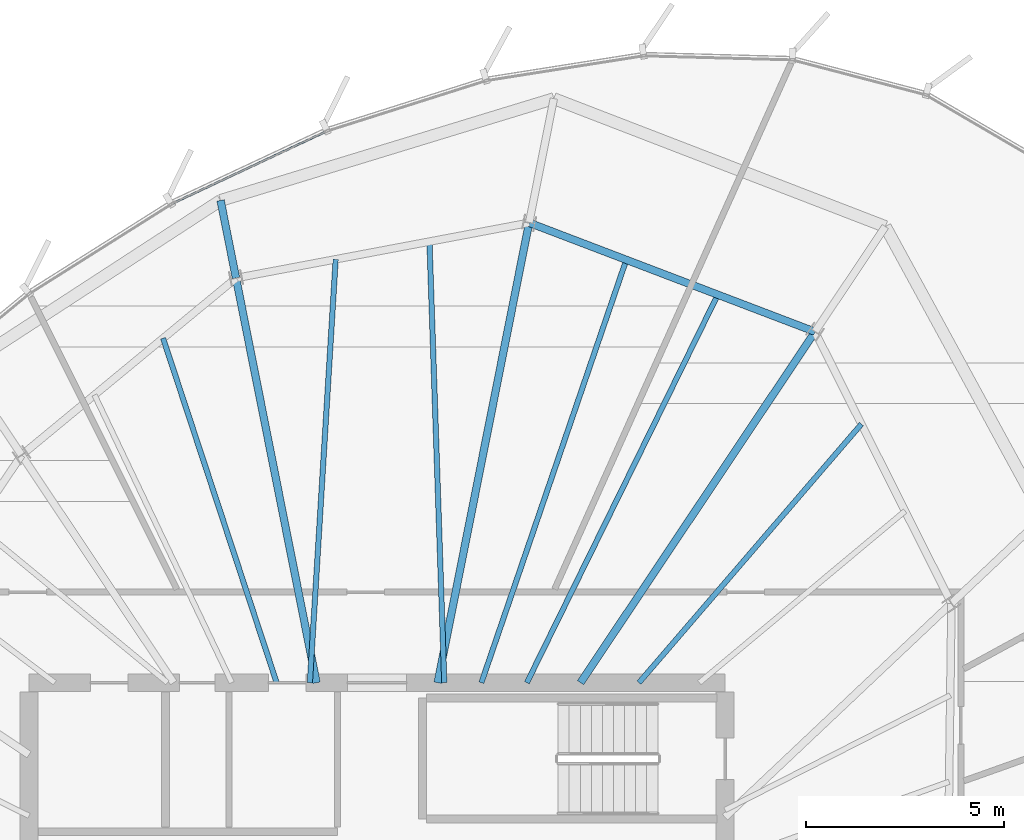
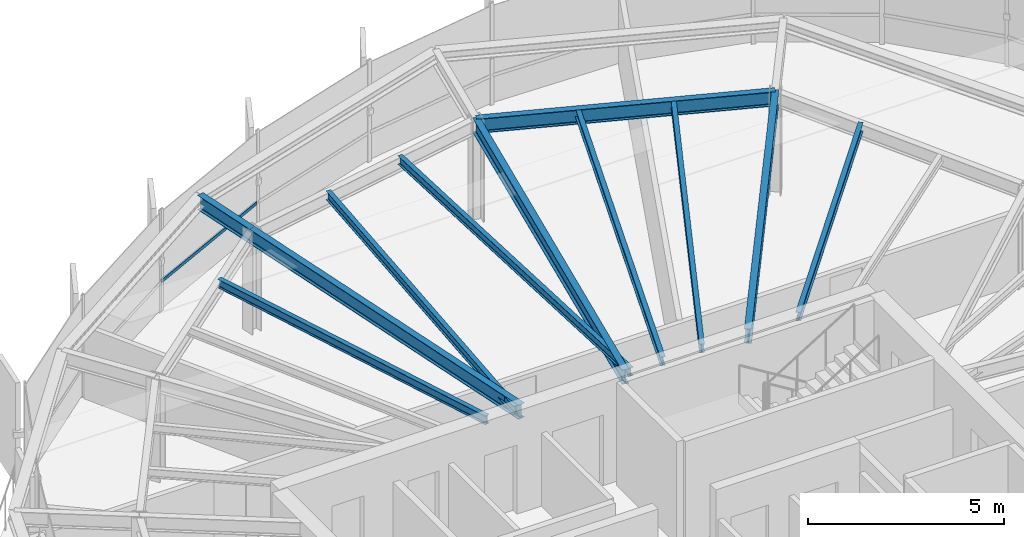
# One storey, part 22 of 36: 11 beams, 1 member, 1 element without a shape of its own.
"""IFC4 building model written with IfcOpenShell, lengths in metres."""

from ifc_helpers import new_model, si_unit, direction, frame, origin, origin_2d, place, context, subcontext, project, spatial, hollow_rectangle, i_section, extrude, source, transform, mapped, material, layer, layer_set, material_profile, profile_set, type_object, element, aggregate, save


model = new_model("IFC4")

# Units and contexts
model_context = context("Model", 3, precision=1e-05, world=origin(), true_north=direction((0.0, 1.0)))
body_context = subcontext(model_context, "Body", "Model", "MODEL_VIEW")
ifc_project = project(units=[si_unit("LENGTHUNIT", "METRE"), si_unit("AREAUNIT", "SQUARE_METRE"), si_unit("VOLUMEUNIT", "CUBIC_METRE"), si_unit("PLANEANGLEUNIT", "RADIAN"), si_unit("MASSUNIT", "GRAM", prefix="KILO"), si_unit("THERMODYNAMICTEMPERATUREUNIT", "KELVIN")], contexts=[model_context])

# Site, building, storey
site_placement = place(None, origin())
site = spatial("IfcSite", under=ifc_project, at=site_placement, CompositionType="ELEMENT")
building_placement = place(site_placement, origin())
building = spatial("IfcBuilding", under=site, at=building_placement, Name="Kethvar Cultural Tower", CompositionType="ELEMENT")
storey_placement = place(building_placement, frame((0.0, 0.0, 242.199951171875)))
storey = spatial("IfcBuildingStorey", under=building, at=storey_placement, Name="L63", CompositionType="ELEMENT", Elevation=242.199951171875)

# Beams
ifc_material_1 = material(Name="Steel S355J2", Category="steel")
ifc_material_profile_1 = material_profile(ifc_material_1, i_section(OverallWidth=0.18994140625, OverallDepth=0.449951171875, WebThickness=0.009521484375, FlangeThickness=0.0146484375, FilletRadius=0.02099609375, at=origin_2d()), Name="Steel S355J2 — IPE450")
ifc_profile_set_1 = profile_set([ifc_material_profile_1], Name="Steel S355J2 — IPE450")
beam_type_1 = type_object("IfcBeamType", Name="BM-IPE450", PredefinedType="BEAM", material=ifc_profile_set_1)
shared_shape_1 = source(origin(), body_context, "Body", "SweptSolid", [
    extrude(i_section(OverallWidth=0.18994140625, OverallDepth=0.449951171875, WebThickness=0.009521484375, FlangeThickness=0.0146484375, FilletRadius=0.02099609375, at=origin_2d()), origin(), (0.0, 0.0, 1.0), 10.673828125),
])
beam_1_placement = place(storey_placement, frame((51.945068359375, 35.5, 2.983154296875), z_axis=(0.555576086183, 0.831465701314, 0.0), x_axis=(-0.831465701314, 0.555576086183, 0.0)))
element("IfcBeam", 1, at=beam_1_placement, inside=storey, type_object=beam_type_1, Name="L63 Primary Radial Beam RB-03", PredefinedType="BEAM", context=body_context, shape_type="MappedRepresentation", body=[
    mapped(shared_shape_1, transform((0.0, 0.0, 0.0), scale=1.0)),
])
shared_shape_2 = source(origin(), body_context, "Body", "SweptSolid", [
    extrude(i_section(OverallWidth=0.18994140625, OverallDepth=0.449951171875, WebThickness=0.009521484375, FlangeThickness=0.0146484375, FilletRadius=0.02099609375, at=origin_2d()), origin(), (0.0, 0.0, 1.0), 11.859375),
])
beam_2_placement = place(storey_placement, frame((48.33154296875, 35.5, 2.983154296875), z_axis=(0.195094640585, 0.980784421377, 0.0), x_axis=(-0.980784421377, 0.195094640585, 0.0)))
element("IfcBeam", 2, at=beam_2_placement, inside=storey, type_object=beam_type_1, Name="L63 Primary Radial Beam RB-04", PredefinedType="BEAM", context=body_context, shape_type="MappedRepresentation", body=[
    mapped(shared_shape_2, transform((0.0, 0.0, 0.0), scale=1.0)),
])
shared_shape_3 = source(origin(), body_context, "Body", "SweptSolid", [
    extrude(i_section(OverallWidth=0.18994140625, OverallDepth=0.449951171875, WebThickness=0.009521484375, FlangeThickness=0.0146484375, FilletRadius=0.02099609375, at=origin_2d()), origin(), (0.0, 0.0, 1.0), 10.432861328125),
])
beam_3_placement = place(storey_placement, frame((45.268310546875, 35.5, 2.983154296875), z_axis=(-0.195094483249, 0.980784452673, 0.0), x_axis=(-0.980784452673, -0.195094483249, 0.0)))
element("IfcBeam", 3, at=beam_3_placement, inside=storey, type_object=beam_type_1, Name="L63 Primary Radial Beam RB-05", PredefinedType="BEAM", context=body_context, shape_type="MappedRepresentation", body=[
    mapped(shared_shape_3, transform((0.0, 0.0, 0.0), scale=1.0)),
])
ifc_material_profile_2 = material_profile(ifc_material_1, i_section(OverallWidth=0.135009765625, OverallDepth=0.27001953125, WebThickness=0.006591796875, FlangeThickness=0.01025390625, FilletRadius=0.014892578125, at=origin_2d()), Name="Steel S355J2 — IPE270")
ifc_profile_set_2 = profile_set([ifc_material_profile_2], Name="Steel S355J2 — IPE270")
beam_type_2 = type_object("IfcBeamType", Name="BM-J270", PredefinedType="JOIST", material=ifc_profile_set_2)
shared_shape_4 = source(origin(), body_context, "Body", "SweptSolid", [
    extrude(i_section(OverallWidth=0.135009765625, OverallDepth=0.27001953125, WebThickness=0.006591796875, FlangeThickness=0.01025390625, FilletRadius=0.014892578125, at=origin_2d()), origin(), (0.0, 0.0, 1.0), 8.6259765625),
])
beam_4_placement = place(storey_placement, frame((53.42333984375, 35.5, 3.072998046875), z_axis=(0.65210499689, 0.758128665222, 0.0), x_axis=(-0.758128665222, 0.65210499689, 0.0)))
element("IfcBeam", 4, at=beam_4_placement, inside=storey, type_object=beam_type_2, Name="L63 Composite Floor Joist J-02B", PredefinedType="JOIST", context=body_context, shape_type="MappedRepresentation", body=[
    mapped(shared_shape_4, transform((0.0, 0.0, 0.0), scale=1.0)),
])
shared_shape_5 = source(origin(), body_context, "Body", "SweptSolid", [
    extrude(i_section(OverallWidth=0.18994140625, OverallDepth=0.449951171875, WebThickness=0.009521484375, FlangeThickness=0.0146484375, FilletRadius=0.02099609375, at=origin_2d()), origin(), (0.0, 0.0, 1.0), 7.737548828125),
])
beam_5_placement = place(storey_placement, frame((57.875244140625, 44.375, 2.983154296875), z_axis=(-0.934388230776, 0.356256416347, 0.0), x_axis=(-0.356256416347, -0.934388230776, 0.0)))
element("IfcBeam", 5, at=beam_5_placement, inside=storey, type_object=beam_type_1, Name="L63 Column Ring Tie Beam CR-03", PredefinedType="BEAM", context=body_context, shape_type="MappedRepresentation", body=[
    mapped(shared_shape_5, transform((0.0, 0.0, 0.0), scale=1.0)),
])
shared_shape_6 = source(origin(), body_context, "Body", "SweptSolid", [
    extrude(i_section(OverallWidth=0.135009765625, OverallDepth=0.27001953125, WebThickness=0.006591796875, FlangeThickness=0.01025390625, FilletRadius=0.014892578125, at=origin_2d()), origin(), (0.0, 0.0, 1.0), 10.935791015625),
])
beam_6_placement = place(storey_placement, frame((50.5888671875, 35.5, 3.072998046875), z_axis=(0.441498236677, 0.897262117227, 0.0), x_axis=(-0.897262117227, 0.441498236677, 0.0)))
element("IfcBeam", 6, at=beam_6_placement, inside=storey, type_object=beam_type_2, Name="L63 Composite Floor Joist J-03A", PredefinedType="JOIST", context=body_context, shape_type="MappedRepresentation", body=[
    mapped(shared_shape_6, transform((0.0, 0.0, 0.0), scale=1.0)),
])
shared_shape_7 = source(origin(), body_context, "Body", "SweptSolid", [
    extrude(i_section(OverallWidth=0.135009765625, OverallDepth=0.27001953125, WebThickness=0.006591796875, FlangeThickness=0.01025390625, FilletRadius=0.014892578125, at=origin_2d()), origin(), (0.0, 0.0, 1.0), 11.304931640625),
])
beam_7_placement = place(storey_placement, frame((49.438720703125, 35.5, 3.072998046875), z_axis=(0.324179110764, 0.945995720997, 0.0), x_axis=(-0.945995720997, 0.324179110764, 0.0)))
element("IfcBeam", 7, at=beam_7_placement, inside=storey, type_object=beam_type_2, Name="L63 Composite Floor Joist J-03B", PredefinedType="JOIST", context=body_context, shape_type="MappedRepresentation", body=[
    mapped(shared_shape_7, transform((0.0, 0.0, 0.0), scale=1.0)),
])
shared_shape_8 = source(origin(), body_context, "Body", "SweptSolid", [
    extrude(i_section(OverallWidth=0.135009765625, OverallDepth=0.27001953125, WebThickness=0.006591796875, FlangeThickness=0.01025390625, FilletRadius=0.014892578125, at=origin_2d()), origin(), (0.0, 0.0, 1.0), 11.162109375),
])
beam_8_placement = place(storey_placement, frame((48.5, 35.5, 3.072998046875), z_axis=(-0.0335959409, 0.999435497046, 0.0), x_axis=(-0.999435497046, -0.0335959409, 0.0)))
element("IfcBeam", 8, at=beam_8_placement, inside=storey, type_object=beam_type_2, Name="L63 Composite Floor Joist J-04A", PredefinedType="JOIST", context=body_context, shape_type="MappedRepresentation", body=[
    mapped(shared_shape_8, transform((0.0, 0.0, 0.0), scale=1.0)),
])
shared_shape_9 = source(origin(), body_context, "Body", "SweptSolid", [
    extrude(i_section(OverallWidth=0.135009765625, OverallDepth=0.27001953125, WebThickness=0.006591796875, FlangeThickness=0.01025390625, FilletRadius=0.014892578125, at=origin_2d()), origin(), (0.0, 0.0, 1.0), 10.727783203125),
])
beam_9_placement = place(storey_placement, frame((45.10009765625, 35.5, 3.072998046875), z_axis=(0.060876395586, 0.998145312297, 0.0), x_axis=(-0.998145312297, 0.060876395586, 0.0)))
element("IfcBeam", 9, at=beam_9_placement, inside=storey, type_object=beam_type_2, Name="L63 Composite Floor Joist J-04B", PredefinedType="JOIST", context=body_context, shape_type="MappedRepresentation", body=[
    mapped(shared_shape_9, transform((0.0, 0.0, 0.0), scale=1.0)),
])
shared_shape_10 = source(origin(), body_context, "Body", "SweptSolid", [
    extrude(i_section(OverallWidth=0.135009765625, OverallDepth=0.27001953125, WebThickness=0.006591796875, FlangeThickness=0.01025390625, FilletRadius=0.014892578125, at=origin_2d()), origin(), (0.0, 0.0, 1.0), 9.17138671875),
])
beam_10_placement = place(storey_placement, frame((44.260986328125, 35.5, 3.072998046875), z_axis=(-0.313151555446, 0.949703165901, 0.0), x_axis=(-0.949703165901, -0.313151555446, 0.0)))
element("IfcBeam", 10, at=beam_10_placement, inside=storey, type_object=beam_type_2, Name="L63 Composite Floor Joist J-05A", PredefinedType="JOIST", context=body_context, shape_type="MappedRepresentation", body=[
    mapped(shared_shape_10, transform((0.0, 0.0, 0.0), scale=1.0)),
])
shared_shape_11 = source(origin(), body_context, "Body", "SweptSolid", [
    extrude(i_section(OverallWidth=0.18994140625, OverallDepth=0.449951171875, WebThickness=0.009521484375, FlangeThickness=0.0146484375, FilletRadius=0.02099609375, at=origin_2d()), origin(), (0.0, 0.0, 1.0), 2.001953125),
])
beam_11_placement = place(storey_placement, frame((43.23291015625, 45.732421875, 2.983154296875), z_axis=(-0.195130999889, 0.980777188194, 0.0), x_axis=(-0.980777188194, -0.195130999889, 0.0)))
element("IfcBeam", 11, at=beam_11_placement, inside=storey, type_object=beam_type_1, Name="L63 Perimeter Cantilever Beam RC-05", PredefinedType="BEAM", context=body_context, shape_type="MappedRepresentation", body=[
    mapped(shared_shape_11, transform((0.0, 0.0, 0.0), scale=1.0)),
])

# Curtain wall, member
ifc_material_2 = material(Name="Aluminium 6063-T6", Category="aluminium")
ifc_layer = layer(ifc_material_2, 0.179931640625, Name="Aluminium 6063-T6", Category="aluminium")
ifc_layer_set = layer_set([ifc_layer], Name="Aluminium 6063-T6 (180 mm)")
curtain_wall_type = type_object("IfcCurtainWallType", Name="CW-SYS-05-Z56", PredefinedType="NOTDEFINED", material=ifc_layer_set)
curtain_wall_placement = place(storey_placement, origin())
curtain_wall = element("IfcCurtainWall", 12, at=curtain_wall_placement, inside=storey, type_object=curtain_wall_type, Name="L63 Curtain Wall Run 01", PredefinedType="NOTDEFINED")
ifc_material_profile_3 = material_profile(ifc_material_2, hollow_rectangle(XDim=0.050048828125, YDim=0.10009765625, WallThickness=0.00390625, at=origin_2d()), Name="Aluminium 6063-T6 — RHS100x50x4")
ifc_profile_set_3 = profile_set([ifc_material_profile_3], Name="Aluminium 6063-T6 — RHS100x50x4")
member_type = type_object("IfcMemberType", Name="CW-SYS-05-Z56-TRN", PredefinedType="USERDEFINED", material=ifc_profile_set_3)
shared_shape_12 = source(origin(), body_context, "Body", "SweptSolid", [
    extrude(hollow_rectangle(XDim=0.050048828125, YDim=0.10009765625, WallThickness=0.00390625, at=origin_2d()), origin(), (0.0, 0.0, 1.0), 4.2431640625),
])
member_placement = place(storey_placement, frame((45.499755859375, 49.4345703125, 0.949951171875), z_axis=(-0.905452716939, -0.42444714322, 0.0), x_axis=(0.42444714322, -0.905452716939, 0.0)))
member = element("IfcMember", 13, at=member_placement, type_object=member_type, Name="CW-L63-R01 Transom 6", ObjectType="TRANSOM", PredefinedType="USERDEFINED", context=body_context, shape_type="MappedRepresentation", body=[
    mapped(shared_shape_12, transform((0.0, 0.0, 0.0), scale=1.0)),
])
aggregate(curtain_wall, [member])

save(model, "model.ifc")
